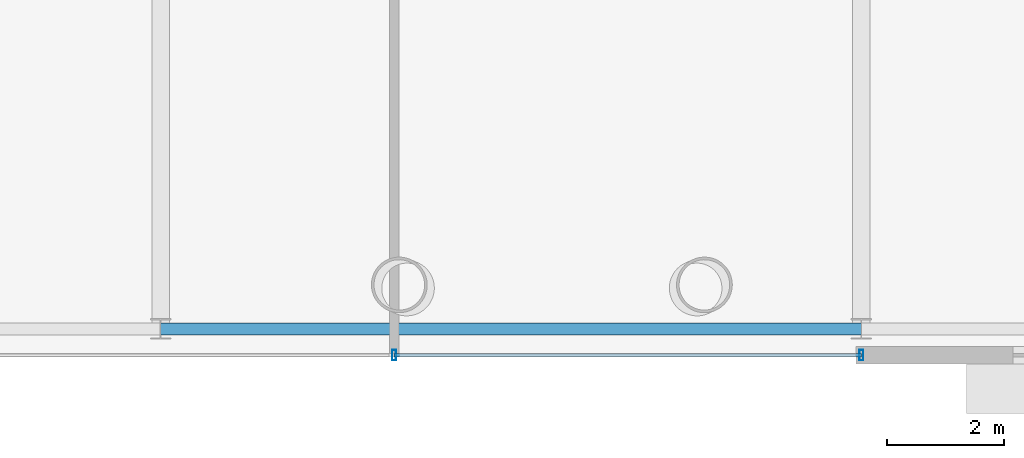
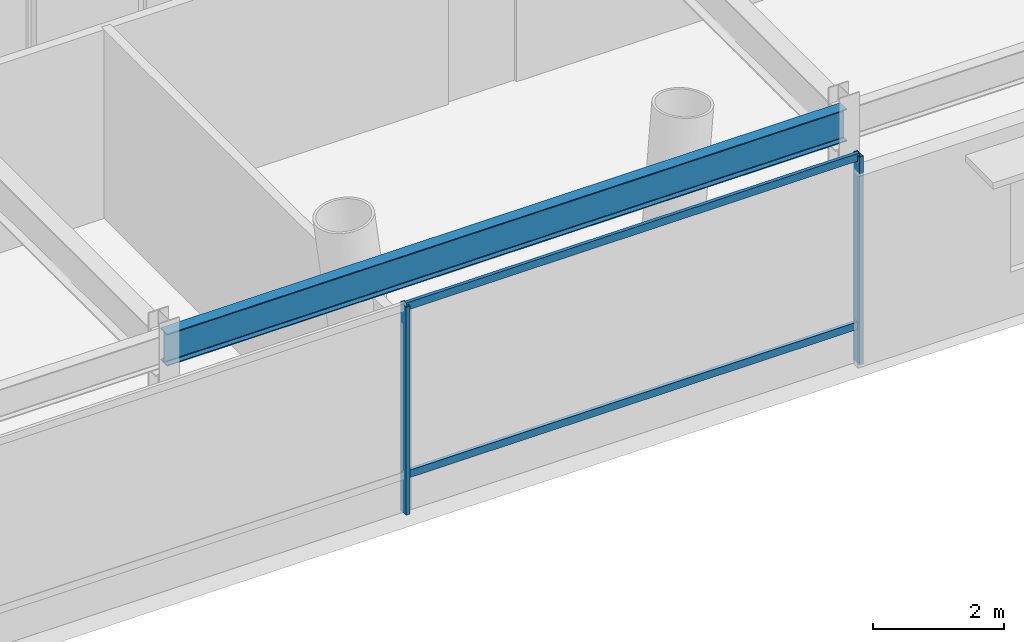
# One storey, part 8 of 22: 4 members, 1 beam, 1 element without a shape of its own.
"""IFC4 building model written with IfcOpenShell, lengths in metres."""

from ifc_helpers import new_model, si_unit, direction, frame, origin, origin_2d, place, context, subcontext, project, spatial, hollow_rectangle, i_section, extrude, material, layer, layer_set, material_profile, profile_set, type_object, element, aggregate, save


model = new_model("IFC4")

# Units and contexts
model_context = context("Model", 3, precision=1e-05, world=origin(), true_north=direction((0.0, 1.0)))
body_context = subcontext(model_context, "Body", "Model", "MODEL_VIEW")
ifc_project = project(units=[si_unit("LENGTHUNIT", "METRE"), si_unit("AREAUNIT", "SQUARE_METRE"), si_unit("VOLUMEUNIT", "CUBIC_METRE"), si_unit("PLANEANGLEUNIT", "RADIAN"), si_unit("MASSUNIT", "GRAM", prefix="KILO")], contexts=[model_context])

# Site, building, storey
site_placement = place(None, origin())
site = spatial("IfcSite", under=ifc_project, at=site_placement, CompositionType="ELEMENT")
building_placement = place(site_placement, origin())
building = spatial("IfcBuilding", under=site, at=building_placement, Name="Veldorina Hangang Commons", CompositionType="ELEMENT")
storey_placement = place(building_placement, frame((0.0, 0.0, 14.800048828125)))
storey = spatial("IfcBuildingStorey", under=building, at=storey_placement, Name="L03", CompositionType="ELEMENT", Elevation=14.800048828125)

# Beam
ifc_material_1 = material(Name="Steel SM420-TMC", Category="steel")
ifc_material_profile_1 = material_profile(ifc_material_1, i_section(OverallWidth=0.199951171875, OverallDepth=0.60009765625, WebThickness=0.010986328125, FlangeThickness=0.01708984375, FilletRadius=0.01806640625, at=origin_2d()), Name="H-600x200x11x17")
ifc_profile_set_1 = profile_set([ifc_material_profile_1], Name="Steel SM420-TMC")
beam_type = type_object("IfcBeamType", Name="BM-SPN600", PredefinedType="SPANDREL", material=ifc_profile_set_1)
beam_placement = place(storey_placement, frame((32.0, 3.449951171875, 4.199951171875), z_axis=(1.0, 0.0, 0.0), x_axis=(0.0, 1.0, 0.0)))
element("IfcBeam", 1, at=beam_placement, inside=storey, type_object=beam_type, Name="L03 south spandrel beam 3", PredefinedType="SPANDREL", context=body_context, shape_type="SweptSolid", body=[
    extrude(i_section(OverallWidth=0.199951171875, OverallDepth=0.60009765625, WebThickness=0.010986328125, FlangeThickness=0.01708984375, FilletRadius=0.01806640625, at=origin_2d()), origin(), (0.0, 0.0, 1.0), 12.0),
])

# Curtain wall, members
ifc_material_2 = material(Name="Glass Low-E Triple IGU", Category="glass")
ifc_layer = layer(ifc_material_2, 0.179931640625)
ifc_layer_set = layer_set([ifc_layer], Name="Glass Low-E Triple IGU")
curtain_wall_type = type_object("IfcCurtainWallType", Name="CW-SYS-POD", PredefinedType="NOTDEFINED", material=ifc_layer_set)
curtain_wall_placement = place(storey_placement, origin())
curtain_wall = element("IfcCurtainWall", 2, at=curtain_wall_placement, inside=storey, type_object=curtain_wall_type, Name="L03 unitised curtain wall CW-L03-S-CTR", PredefinedType="NOTDEFINED")
ifc_material_3 = material(Name="Aluminium Anodized AA6063-T6", Category="aluminium")
ifc_material_profile_2 = material_profile(ifc_material_3, hollow_rectangle(XDim=0.070068359375, YDim=0.179931640625, WallThickness=0.00390625, at=origin_2d()), Name="ALU-RHS-180x70x4")
ifc_profile_set_2 = profile_set([ifc_material_profile_2], Name="Aluminium Anodized AA6063-T6")
member_type_1 = type_object("IfcMemberType", Name="CW-MUL-180", PredefinedType="MULLION", material=ifc_profile_set_2)
member_1_placement = place(storey_placement, frame((36.0, 3.0, 0.0), z_axis=(0.0, 0.0, 1.0), x_axis=(1.0, 0.0, 0.0)))
member_1 = element("IfcMember", 3, at=member_1_placement, type_object=member_type_1, Name="CW-L03-S-CTR vertical mullion 2", PredefinedType="MULLION", context=body_context, shape_type="SweptSolid", body=[
    extrude(hollow_rectangle(XDim=0.070068359375, YDim=0.179931640625, WallThickness=0.00390625, at=origin_2d()), origin(), (0.0, 0.0, 1.0), 3.8798828125),
])
member_2_placement = place(storey_placement, frame((44.0, 3.0, 0.0), z_axis=(0.0, 0.0, 1.0), x_axis=(-1.0, 0.0, 0.0)))
member_2 = element("IfcMember", 4, at=member_2_placement, type_object=member_type_1, Name="CW-L03-S-CTR vertical mullion 3", PredefinedType="MULLION", context=body_context, shape_type="SweptSolid", body=[
    extrude(hollow_rectangle(XDim=0.070068359375, YDim=0.179931640625, WallThickness=0.00390625, at=origin_2d()), origin(), (0.0, 0.0, 1.0), 3.8798828125),
])
ifc_material_profile_3 = material_profile(ifc_material_3, hollow_rectangle(XDim=0.06005859375, YDim=0.139892578125, WallThickness=0.00341796875, at=origin_2d()), Name="ALU-RHS-140x60x3.5")
ifc_profile_set_3 = profile_set([ifc_material_profile_3], Name="Aluminium Anodized AA6063-T6")
member_type_2 = type_object("IfcMemberType", Name="CW-TRN-140", PredefinedType="USERDEFINED", material=ifc_profile_set_3)
member_3_placement = place(storey_placement, frame((36.0, 3.0, 0.699951171875), z_axis=(1.0, 0.0, 0.0), x_axis=(0.0, 1.0, 0.0)))
member_3 = element("IfcMember", 5, at=member_3_placement, type_object=member_type_2, Name="CW-L03-S-CTR facet 3 transom 1", ObjectType="TRANSOM", PredefinedType="USERDEFINED", context=body_context, shape_type="SweptSolid", body=[
    extrude(hollow_rectangle(XDim=0.06005859375, YDim=0.139892578125, WallThickness=0.00341796875, at=origin_2d()), origin(), (0.0, 0.0, 1.0), 8.0),
])
member_4_placement = place(storey_placement, frame((36.0, 3.0, 3.83984375), z_axis=(1.0, 0.0, 0.0), x_axis=(0.0, 1.0, 0.0)))
member_4 = element("IfcMember", 6, at=member_4_placement, type_object=member_type_2, Name="CW-L03-S-CTR facet 3 transom 2", ObjectType="TRANSOM", PredefinedType="USERDEFINED", context=body_context, shape_type="SweptSolid", body=[
    extrude(hollow_rectangle(XDim=0.06005859375, YDim=0.139892578125, WallThickness=0.00341796875, at=origin_2d()), origin(), (0.0, 0.0, 1.0), 8.0),
])
aggregate(curtain_wall, [member_1, member_2, member_3, member_4])

save(model, "model.ifc")
